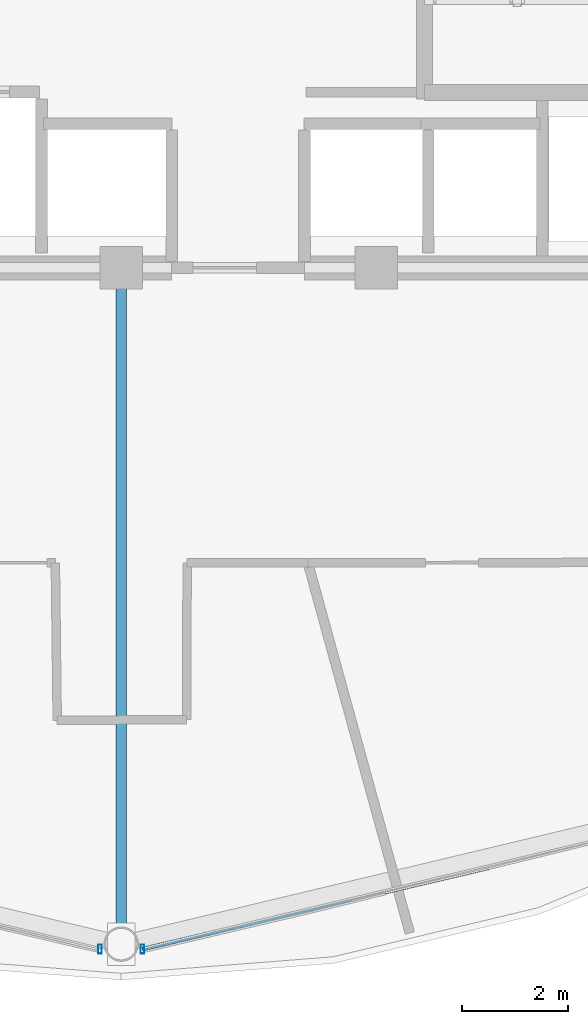
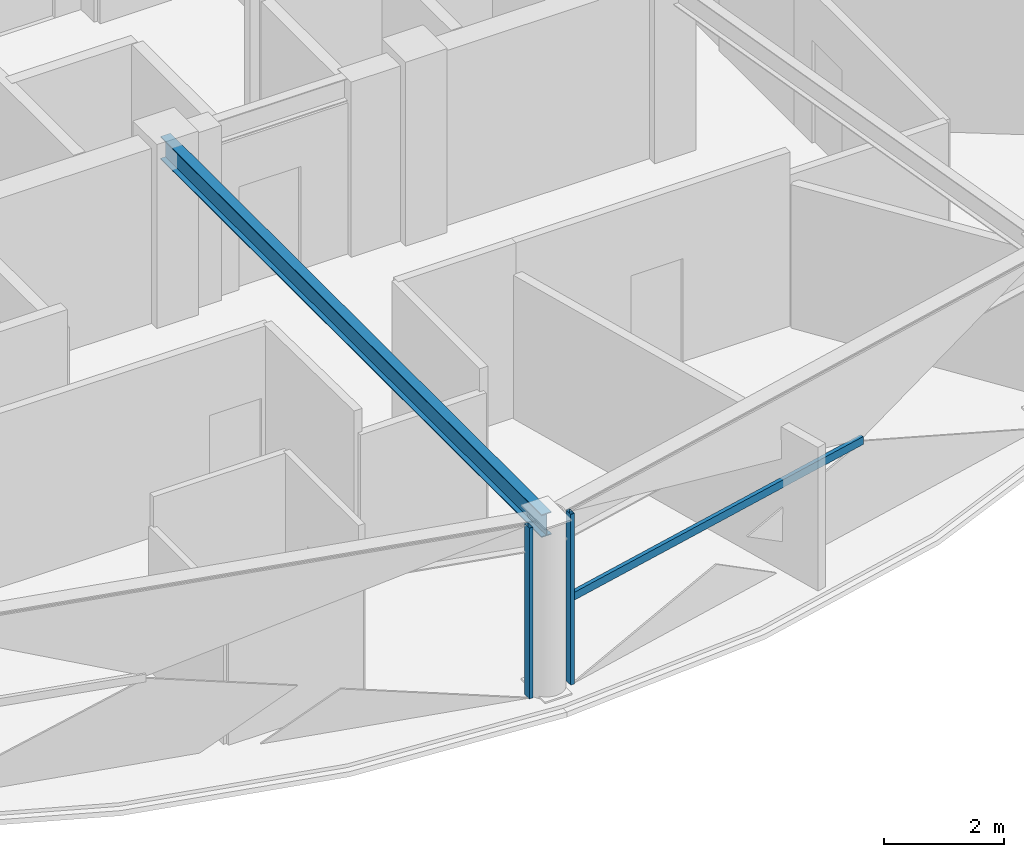
# One storey, part 5 of 30: 3 members, 1 beam, 2 elements without a shape of their own.
"""IFC4 building model written with IfcOpenShell, lengths in metres."""

from ifc_helpers import new_model, si_unit, direction, frame, origin, origin_2d, place, context, subcontext, project, spatial, hollow_rectangle, i_section, extrude, material, layer, layer_set, material_profile, profile_set, type_object, element, aggregate, save


model = new_model("IFC4")

# Units and contexts
model_context = context("Model", 3, precision=1e-05, world=origin(), true_north=direction((0.0, 1.0)))
body_context = subcontext(model_context, "Body", "Model", "MODEL_VIEW")
ifc_project = project(units=[si_unit("LENGTHUNIT", "METRE"), si_unit("AREAUNIT", "SQUARE_METRE"), si_unit("VOLUMEUNIT", "CUBIC_METRE"), si_unit("PLANEANGLEUNIT", "RADIAN"), si_unit("MASSUNIT", "GRAM", prefix="KILO")], contexts=[model_context])

# Site, building, storey
site_placement = place(None, origin())
site = spatial("IfcSite", under=ifc_project, at=site_placement, CompositionType="ELEMENT")
building_placement = place(site_placement, origin())
building = spatial("IfcBuilding", under=site, at=building_placement, Name="Vantalir Tower", CompositionType="ELEMENT")
storey_placement = place(building_placement, frame((0.0, 0.0, 201.14990234375)))
storey = spatial("IfcBuildingStorey", under=building, at=storey_placement, Name="L50", CompositionType="ELEMENT", Elevation=201.14990234375)

# Beam
ifc_material_1 = material(Name="Steel S355", Category="steel")
ifc_material_profile_1 = material_profile(ifc_material_1, i_section(OverallWidth=0.19189453125, OverallDepth=0.462890625, WebThickness=0.010498046875, FlangeThickness=0.017578125, at=origin_2d()), Name="Steel S355")
ifc_profile_set_1 = profile_set([ifc_material_profile_1], Name="Steel S355")
beam_type = type_object("IfcBeamType", Name="BM-RB-457x191", PredefinedType="BEAM", material=ifc_profile_set_1)
beam_placement = place(storey_placement, frame((31.5, 5.074951171875, 3.338134765625), z_axis=(0.0, 1.0, 0.0), x_axis=(-1.0, 0.0, 0.0)))
element("IfcBeam", 1, at=beam_placement, inside=storey, type_object=beam_type, Name="L50 Radial Floor Beam 10", PredefinedType="BEAM", context=body_context, shape_type="SweptSolid", body=[
    extrude(i_section(OverallWidth=0.19189453125, OverallDepth=0.462890625, WebThickness=0.010498046875, FlangeThickness=0.017578125, at=origin_2d()), origin(), (0.0, 0.0, 1.0), 12.72509765625),
])

# Curtain wall, member
ifc_material_2 = material(Name="Champagne-silver PVDF aluminium and double-silver Low-E glass", Category="aluminium")
ifc_layer = layer(ifc_material_2, 0.2099609375)
ifc_layer_set = layer_set([ifc_layer], Name="Champagne-silver PVDF aluminium and double-silver Low-E glass")
curtain_wall_type = type_object("IfcCurtainWallType", Name="CW-DIAMOND-Z3", PredefinedType="USERDEFINED", material=ifc_layer_set)
curtain_wall_1_placement = place(storey_placement, origin())
curtain_wall_1 = element("IfcCurtainWall", 2, at=curtain_wall_1_placement, inside=storey, type_object=curtain_wall_type, Name="L50 Quilted Pyramid-Diamond Curtain Wall S09", ObjectType="UNITISED CURTAIN WALL", PredefinedType="USERDEFINED")
ifc_material_3 = material(Name="Champagne-silver PVDF aluminium 6063-T6", Category="aluminium")
ifc_material_profile_2 = material_profile(ifc_material_3, hollow_rectangle(XDim=0.070068359375, YDim=0.1650390625, WallThickness=0.00390625, at=origin_2d()), Name="Champagne-silver PVDF aluminium 6063-T6")
ifc_profile_set_2 = profile_set([ifc_material_profile_2], Name="Champagne-silver PVDF aluminium 6063-T6")
member_type_1 = type_object("IfcMemberType", Name="CWM-165x70", PredefinedType="MULLION", material=ifc_profile_set_2)
member_1_placement = place(storey_placement, frame((31.10107421875, 4.97998046875, 0.045166015625), z_axis=(0.0, 0.0, 1.0), x_axis=(1.0, 0.0, 0.0)))
member_1 = element("IfcMember", 3, at=member_1_placement, type_object=member_type_1, Name="CW-L50-S09 Mullion 2", PredefinedType="MULLION", context=body_context, shape_type="SweptSolid", body=[
    extrude(hollow_rectangle(XDim=0.070068359375, YDim=0.1650390625, WallThickness=0.00390625, at=origin_2d()), origin(), (0.0, 0.0, 1.0), 3.47998046875),
])
aggregate(curtain_wall_1, [member_1])

# Curtain wall, members
curtain_wall_2_placement = place(storey_placement, origin())
curtain_wall_2 = element("IfcCurtainWall", 4, at=curtain_wall_2_placement, inside=storey, type_object=curtain_wall_type, Name="L50 Quilted Pyramid-Diamond Curtain Wall S10", ObjectType="UNITISED CURTAIN WALL", PredefinedType="USERDEFINED")
member_2_placement = place(storey_placement, frame((31.89892578125, 4.97998046875, 0.045166015625), z_axis=(0.0, 0.0, 1.0), x_axis=(1.0, 0.0, 0.0)))
member_2 = element("IfcMember", 5, at=member_2_placement, type_object=member_type_1, Name="CW-L50-S10 Mullion 1", PredefinedType="MULLION", context=body_context, shape_type="SweptSolid", body=[
    extrude(hollow_rectangle(XDim=0.070068359375, YDim=0.1650390625, WallThickness=0.00390625, at=origin_2d()), origin(), (0.0, 0.0, 1.0), 3.47998046875),
])
ifc_material_profile_3 = material_profile(ifc_material_3, hollow_rectangle(XDim=0.074951171875, YDim=0.159912109375, WallThickness=0.00390625, at=origin_2d()), Name="Champagne-silver PVDF aluminium 6063-T6")
ifc_profile_set_3 = profile_set([ifc_material_profile_3], Name="Champagne-silver PVDF aluminium 6063-T6")
member_type_2 = type_object("IfcMemberType", Name="CWT-160x75", PredefinedType="USERDEFINED", material=ifc_profile_set_3)
member_3_placement = place(storey_placement, frame((31.89892578125, 4.97998046875, 1.78515625), z_axis=(0.973450188795, 0.228898951364, 0.0), x_axis=(-0.228898951364, 0.973450188795, 0.0)))
member_3 = element("IfcMember", 6, at=member_3_placement, type_object=member_type_2, Name="CW-L50-S10 Pyramid Fold Ridge Transom", ObjectType="TRANSOM", PredefinedType="USERDEFINED", context=body_context, shape_type="SweptSolid", body=[
    extrude(hollow_rectangle(XDim=0.074951171875, YDim=0.159912109375, WallThickness=0.00390625, at=origin_2d()), origin(), (0.0, 0.0, 1.0), 6.6884765625),
])
aggregate(curtain_wall_2, [member_2, member_3])

save(model, "model.ifc")
